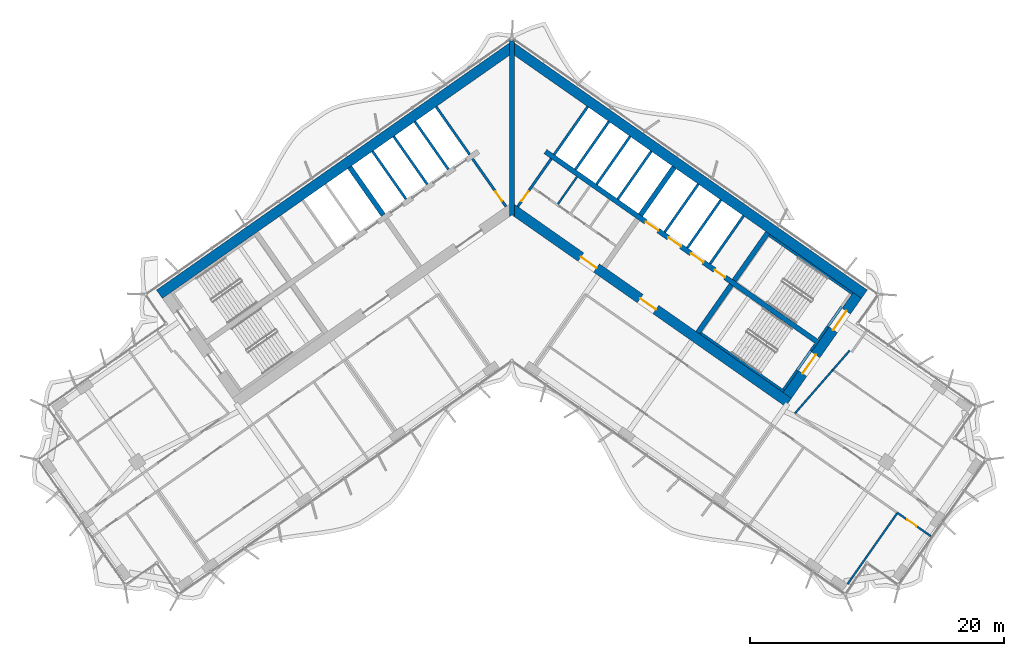
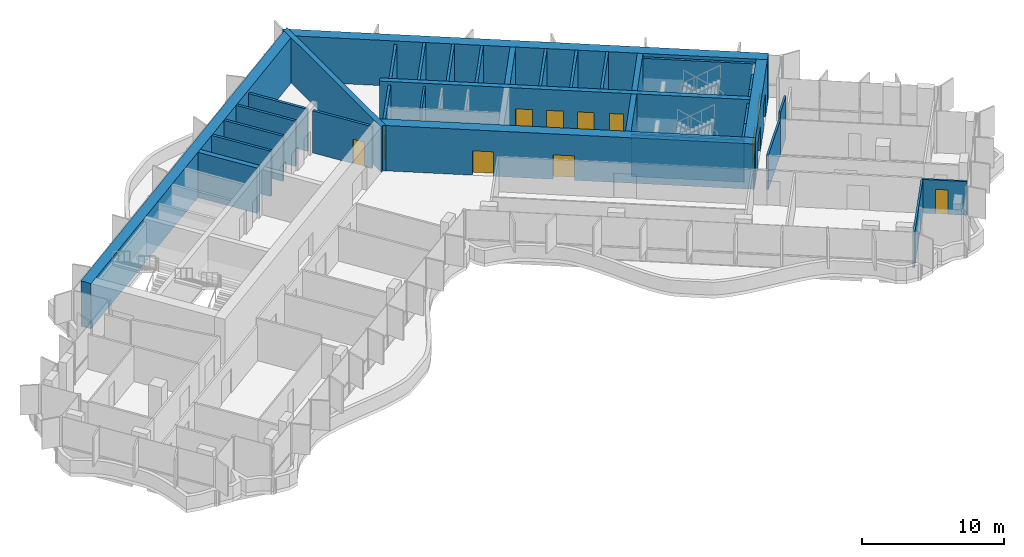
# One storey, part 16 of 23: 35 walls, 11 doors, 11 openings.
"""IFC4 building model written with IfcOpenShell, lengths in metres."""

import ifcopenshell
import ifcopenshell.guid

model = None  # the IFC model being written
_history = None  # IfcOwnerHistory: only IFC2X3 demands one
_inside = {}  # id of a spatial element -> (the spatial element, [elements in it])
_under = {}  # id of a project, library or spatial element -> (it, [spatial elements below it])
_declared = {}  # id of a project -> (the project, [libraries it declares])
_typed = {}  # id of a type object -> (the type object, [elements of that type])
_made_of = {}  # id of a material, layer set ... -> (it, [elements and type objects made of it])


def new_model(schema):
    """Start an empty IFC model of exactly this schema.

    Asked for "IFC4X3", IfcOpenShell would pick the latest addendum, in which some entities
    have other attributes; the version numbers below select the first issue.
    IFC2X3 requires an IfcOwnerHistory on every rooted entity: one is made here for all.
    """
    global model, _history
    if schema == "IFC4X3":
        model = ifcopenshell.file(schema_version=(4, 3, 0, 0))
    else:
        model = ifcopenshell.file(schema=schema)
    _inside.clear()
    _under.clear()
    _declared.clear()
    _typed.clear()
    _made_of.clear()
    _history = None
    if model.schema == "IFC2X3":
        org = make("IfcOrganization", Name="unknown")
        user = make(
            "IfcPersonAndOrganization",
            ThePerson=make("IfcPerson", FamilyName="unknown"),
            TheOrganization=org,
        )
        app = make(
            "IfcApplication",
            ApplicationDeveloper=org,
            Version="unknown",
            ApplicationFullName="unknown",
            ApplicationIdentifier="unknown",
        )
        _history = make(
            "IfcOwnerHistory",
            OwningUser=user,
            OwningApplication=app,
            ChangeAction="ADDED",
            CreationDate=0,
        )
    return model


def make(cls, **values):
    """One entity of the class cls with the attributes given. An attribute that is None is left unset."""
    return model.create_entity(
        cls, **{name: value for name, value in values.items() if value is not None}
    )


def rooted(cls, **values):
    """An entity with a GlobalId (a new one), such as an element, a storey or a relation."""
    return make(cls, GlobalId=ifcopenshell.guid.new(), OwnerHistory=_history, **values)


def si_unit(unit_type, name, prefix=None):
    """IfcSIUnit, for example si_unit("LENGTHUNIT", "METRE", prefix="MILLI")."""
    return make("IfcSIUnit", UnitType=unit_type, Prefix=prefix, Name=name)


def assignment(units):
    """IfcUnitAssignment: the units of a project."""
    return None if units is None else make("IfcUnitAssignment", Units=units)


def point(xyz):
    """IfcCartesianPoint."""
    return None if xyz is None else make("IfcCartesianPoint", Coordinates=xyz)


def direction(xyz):
    """IfcDirection."""
    return None if xyz is None else make("IfcDirection", DirectionRatios=xyz)


def frame(location, z_axis=None, x_axis=None):
    """IfcAxis2Placement3D, a coordinate frame: its origin and axes. An axis left out is left unset."""
    return make(
        "IfcAxis2Placement3D",
        Location=point(location),
        Axis=direction(z_axis),
        RefDirection=direction(x_axis),
    )


def frame_2d(location, x_axis=None):
    """IfcAxis2Placement2D, a coordinate frame in the plane: its origin and x axis."""
    return make(
        "IfcAxis2Placement2D", Location=point(location), RefDirection=direction(x_axis)
    )


def origin():
    """The frame at (0, 0, 0) with its axes left unset."""
    return frame((0.0, 0.0, 0.0))


def place(relative_to, where):
    """IfcLocalPlacement: puts the frame where relative to a parent placement (None: the world)."""
    return make(
        "IfcLocalPlacement", PlacementRelTo=relative_to, RelativePlacement=where
    )


def context(
    kind, dimensions, precision=None, world=None, true_north=None, identifier=None
):
    """IfcGeometricRepresentationContext, for example the 3D "Model" context."""
    return make(
        "IfcGeometricRepresentationContext",
        ContextIdentifier=identifier,
        ContextType=kind,
        CoordinateSpaceDimension=dimensions,
        Precision=precision,
        WorldCoordinateSystem=world,
        TrueNorth=true_north,
    )


def subcontext(parent, identifier, kind, view, scale=None):
    """IfcGeometricRepresentationSubContext, for example "Body" below "Model"."""
    return make(
        "IfcGeometricRepresentationSubContext",
        ContextIdentifier=identifier,
        ContextType=kind,
        ParentContext=parent,
        TargetScale=scale,
        TargetView=view,
    )


def project(units=None, contexts=None):
    """IfcProject with its units and contexts."""
    return rooted(
        "IfcProject",
        Name="project",
        RepresentationContexts=contexts,
        UnitsInContext=assignment(units),
    )


def spatial(cls, under=None, at=None, **own):
    """A site, building, storey or space (cls), placed at a placement, below another one or the project."""
    s = rooted(cls, ObjectPlacement=at, **own)
    if under is not None:
        _under.setdefault(under.id(), (under, []))[1].append(s)
    return s


def polyline(points):
    """IfcPolyline through the points."""
    return make("IfcPolyline", Points=[point(p) for p in points])


def profile(cls, at=None, kind="AREA", **sizes):
    """A parametric profile (cls). Its sizes go by their IFC names, for example OverallWidth=200.0."""
    return make(cls, ProfileType=kind, Position=at, **sizes)


def rectangle(**sizes):
    """IfcRectangleProfileDef."""
    return profile("IfcRectangleProfileDef", **sizes)


def outline(outer, holes=None, kind="AREA"):
    """IfcArbitraryClosedProfileDef: a profile drawn as a closed curve; with holes, ...WithVoids."""
    if holes is None:
        return make("IfcArbitraryClosedProfileDef", ProfileType=kind, OuterCurve=outer)
    return make(
        "IfcArbitraryProfileDefWithVoids",
        ProfileType=kind,
        OuterCurve=outer,
        InnerCurves=holes,
    )


def extrude(swept, where, along, depth):
    """IfcExtrudedAreaSolid: the profile swept, set in the frame where, extruded along a direction by depth."""
    return make(
        "IfcExtrudedAreaSolid",
        SweptArea=swept,
        Position=where,
        ExtrudedDirection=direction(along),
        Depth=depth,
    )


def shape(context_of_items, identifier, shape_type, items):
    """IfcShapeRepresentation: the items that make up one representation, for example the "Body"."""
    return make(
        "IfcShapeRepresentation",
        ContextOfItems=context_of_items,
        RepresentationIdentifier=identifier,
        RepresentationType=shape_type,
        Items=items,
    )


def material(Name=None, Category=None):
    """IfcMaterial."""
    return make("IfcMaterial", Name=Name, Category=Category)


def layer(
    of_material, thickness, ventilated=None, Name=None, Category=None, Priority=None
):
    """IfcMaterialLayer: one layer of a wall or slab, of a material (None: an air gap)."""
    return make(
        "IfcMaterialLayer",
        Material=of_material,
        LayerThickness=thickness,
        IsVentilated=ventilated,
        Name=Name,
        Category=Category,
        Priority=Priority,
    )


def layer_set(layers, Name=None):
    """IfcMaterialLayerSet."""
    return make("IfcMaterialLayerSet", MaterialLayers=layers, LayerSetName=Name)


def made_of(thing, what):
    """Note that an element or type object is made of a material, layer set ...; save() writes the relation."""
    if what is not None:
        _made_of.setdefault(what.id(), (what, []))[1].append(thing)
    return thing


def type_object(cls, material=None, **own):
    """A type object (cls), such as IfcWallType, which elements share."""
    return made_of(rooted(cls, **own), material)


def element(
    cls,
    number,
    at=None,
    inside=None,
    cuts=None,
    type_object=None,
    material=None,
    context=None,
    identifier="Body",
    shape_type=None,
    held_by="IfcProductDefinitionShape",
    body=None,
    shapes=None,
    **own,
):
    """One element of the class cls, such as IfcWall. Its Tag is "e" and its number.

    at: its placement. inside: the storey or other place that contains it. cuts: it is an
    opening in that element (IfcRelVoidsElement). A single representation is given by context,
    identifier, shape_type and body (its items); several are given by shapes. held_by: the class
    of the entity that holds the representations. save() writes the other relations.
    """
    e = rooted(cls, Tag="e%d" % number, ObjectPlacement=at, **own)
    if body is not None:
        shapes = [shape(context, identifier, shape_type, body)]
    if shapes is not None:
        e.Representation = make(held_by, Representations=shapes)
    if inside is not None:
        _inside.setdefault(inside.id(), (inside, []))[1].append(e)
    if cuts is not None:
        rooted(
            "IfcRelVoidsElement", RelatingBuildingElement=cuts, RelatedOpeningElement=e
        )
    if type_object is not None:
        _typed.setdefault(type_object.id(), (type_object, []))[1].append(e)
    return made_of(e, material)


def fill(opening, filler):
    """IfcRelFillsElement: the door or window that sits in an opening."""
    return rooted(
        "IfcRelFillsElement",
        RelatingOpeningElement=opening,
        RelatedBuildingElement=filler,
    )


def aggregate(whole, parts):
    """IfcRelAggregates: a whole, such as a stair, and the parts it consists of."""
    return rooted("IfcRelAggregates", RelatingObject=whole, RelatedObjects=parts)


def save(model, path):
    """Write the relations noted so far, then the file.

    IfcRelAggregates (storeys below a building ...), IfcRelContainedInSpatialStructure (elements
    in a storey), IfcRelDefinesByType, IfcRelAssociatesMaterial and IfcRelDeclares: one each for
    every whole, place, type object, material and project.
    """
    for whole, parts in _under.values():
        aggregate(whole, parts)
    for where, things in _inside.values():
        rooted(
            "IfcRelContainedInSpatialStructure",
            RelatedElements=things,
            RelatingStructure=where,
        )
    for kind, things in _typed.values():
        rooted("IfcRelDefinesByType", RelatedObjects=things, RelatingType=kind)
    for what, things in _made_of.values():
        rooted("IfcRelAssociatesMaterial", RelatedObjects=things, RelatingMaterial=what)
    for by, libraries in _declared.values():
        rooted("IfcRelDeclares", RelatingContext=by, RelatedDefinitions=libraries)
    model.write(path)


model = new_model("IFC4")

# Units and contexts
model_context = context("Model", 3, precision=1e-05, world=origin(), true_north=direction((0.0, 1.0)))
body_context = subcontext(model_context, "Body", "Model", "MODEL_VIEW")
ifc_project = project(units=[si_unit("LENGTHUNIT", "METRE"), si_unit("AREAUNIT", "SQUARE_METRE"), si_unit("VOLUMEUNIT", "CUBIC_METRE"), si_unit("PLANEANGLEUNIT", "RADIAN"), si_unit("MASSUNIT", "GRAM", prefix="KILO")], contexts=[model_context])

# Site, building, storey
site_placement = place(None, origin())
site = spatial("IfcSite", under=ifc_project, at=site_placement, CompositionType="ELEMENT")
building_placement = place(site_placement, origin())
building = spatial("IfcBuilding", under=site, at=building_placement, Name="Tel Ilan Convention Tower", CompositionType="ELEMENT")
storey_placement = place(building_placement, frame((0.0, 0.0, 182.699951171875)))
storey = spatial("IfcBuildingStorey", under=building, at=storey_placement, Name="L42", CompositionType="ELEMENT", Elevation=182.699951171875)

# Wall
ifc_material_1 = material(Name="Gypsum Plasterboard on Steel Stud", Category="steel")
ifc_layer_1 = layer(ifc_material_1, 0.14990234375)
ifc_layer_set_1 = layer_set([ifc_layer_1], Name="Core Room Partition Wall 150 mm EI 60")
wall_type_1 = type_object("IfcWallType", Name="Core Room Partition Wall 150 mm EI 60", PredefinedType="PARTITIONING", material=ifc_layer_set_1)
wall_1_placement = place(storey_placement, frame((3.618896484375, -0.3671875, 0.0), z_axis=(0.0, 0.0, 1.0), x_axis=(0.573549726504, 0.819170746076, 0.0)))
element("IfcWall", 1, at=wall_1_placement, inside=storey, type_object=wall_type_1, Name="L42 core wall wc-v0", PredefinedType="PARTITIONING", context=body_context, shape_type="SweptSolid", body=[
    extrude(rectangle(XDim=2.625, YDim=0.14990234375, at=frame_2d((1.3125, 0.0))), origin(), (0.0, 0.0, 1.0), 3.6201171875),
])

# Wall, opening, door
ifc_material_2 = material(Name="Concrete C30/37", Category="concrete")
ifc_layer_2 = layer(ifc_material_2, 0.199951171875)
ifc_layer_set_2 = layer_set([ifc_layer_2], Name="Core Service Room Wall 200 mm C30/37")
wall_type_2 = type_object("IfcWallType", Name="Core Service Room Wall 200 mm C30/37", PredefinedType="SOLIDWALL", material=ifc_layer_set_2)
wall_2_placement = place(storey_placement, frame((-0.458740234375, -0.565185546875, 0.0), z_axis=(0.0, 0.0, 1.0), x_axis=(-0.573576324356, 0.819152122709, 0.0)))
wall_2 = element("IfcWall", 2, at=wall_2_placement, inside=storey, type_object=wall_type_2, Name="L42 core wall apex-W", PredefinedType="SOLIDWALL", context=body_context, shape_type="SweptSolid", body=[
    extrude(rectangle(XDim=4.599853515625, YDim=0.199951171875, at=frame_2d((2.2998046875, 0.0))), origin(), (0.0, 0.0, 1.0), 3.6201171875),
])
opening_1_placement = place(wall_2_placement, frame((0.550048828125, 0.0, 0.0)))
opening_1 = element("IfcOpeningElement", 3, at=opening_1_placement, cuts=wall_2, Name="Opening CD3202", PredefinedType="OPENING", context=body_context, shape_type="SweptSolid", body=[
    extrude(rectangle(XDim=0.89990234375, YDim=2.10009765625, at=frame_2d((0.449951171875, 1.050048828125))), frame((0.0, 0.10986328125, 0.0), z_axis=(0.0, -1.0, 0.0), x_axis=(1.0, 0.0, 0.0)), (0.0, 0.0, 1.0), 0.219970703125),
])
ifc_material_3 = material(Name="Galvanised Steel Door Leaf", Category="steel")
door_type_1 = type_object("IfcDoorType", Name="Service Room Door 900 x 2100 FD60", OperationType="NOTDEFINED", PredefinedType="DOOR", material=ifc_material_3)
door_1_placement = place(opening_1_placement, origin())
door_1 = element("IfcDoor", 4, at=door_1_placement, inside=storey, type_object=door_type_1, Name="Riser Room door", OperationType="SINGLE_SWING_RIGHT", OverallHeight=2.10009765625, OverallWidth=0.89990234375, PredefinedType="DOOR", context=body_context, shape_type="SweptSolid", body=[
    extrude(rectangle(XDim=0.89990234375, YDim=2.10009765625, at=frame_2d((0.449951171875, 1.050048828125))), frame((0.0, 0.02490234375, 0.0), z_axis=(0.0, -1.0, 0.0), x_axis=(1.0, 0.0, 0.0)), (0.0, 0.0, 1.0), 0.050048828125),
])
fill(opening_1, door_1)

# Wall
wall_3_placement = place(storey_placement, frame((-3.32666015625, 3.530517578125, 0.0), z_axis=(0.0, 0.0, 1.0), x_axis=(-0.573576324356, 0.819152122709, 0.0)))
element("IfcWall", 5, at=wall_3_placement, inside=storey, type_object=wall_type_2, Name="L42 core wall apex-W-b", PredefinedType="SOLIDWALL", context=body_context, shape_type="SweptSolid", body=[
    extrude(rectangle(XDim=4.599853515625, YDim=0.199951171875, at=frame_2d((2.2998046875, 0.0))), origin(), (0.0, 0.0, 1.0), 3.6201171875),
])

# Wall, opening, door
wall_4_placement = place(storey_placement, frame((0.458740234375, -0.565185546875, 0.0), z_axis=(0.0, 0.0, 1.0), x_axis=(0.573576324356, 0.819152122709, 0.0)))
wall_4 = element("IfcWall", 6, at=wall_4_placement, inside=storey, type_object=wall_type_2, Name="L42 core wall apex-E", PredefinedType="SOLIDWALL", context=body_context, shape_type="SweptSolid", body=[
    extrude(rectangle(XDim=4.599853515625, YDim=0.199951171875, at=frame_2d((2.2998046875, 0.0))), origin(), (0.0, 0.0, 1.0), 3.6201171875),
])
opening_2_placement = place(wall_4_placement, frame((0.550048828125, 0.0, 0.0)))
opening_2 = element("IfcOpeningElement", 7, at=opening_2_placement, cuts=wall_4, Name="Opening CD3201", PredefinedType="OPENING", context=body_context, shape_type="SweptSolid", body=[
    extrude(rectangle(XDim=0.89990234375, YDim=2.10009765625, at=frame_2d((0.449951171875, 1.050048828125))), frame((0.0, 0.10986328125, 0.0), z_axis=(0.0, -1.0, 0.0), x_axis=(1.0, 0.0, 0.0)), (0.0, 0.0, 1.0), 0.219970703125),
])
door_2_placement = place(opening_2_placement, origin())
door_2 = element("IfcDoor", 8, at=door_2_placement, inside=storey, type_object=door_type_1, Name="Electrical Room door", OperationType="SINGLE_SWING_RIGHT", OverallHeight=2.10009765625, OverallWidth=0.89990234375, PredefinedType="DOOR", context=body_context, shape_type="SweptSolid", body=[
    extrude(rectangle(XDim=0.89990234375, YDim=2.10009765625, at=frame_2d((0.449951171875, 1.050048828125))), frame((0.0, 0.02490234375, 0.0), z_axis=(0.0, -1.0, 0.0), x_axis=(1.0, 0.0, 0.0)), (0.0, 0.0, 1.0), 0.050048828125),
])
fill(opening_2, door_2)

# Walls
wall_5_placement = place(storey_placement, frame((3.32666015625, 3.530517578125, 0.0), z_axis=(0.0, 0.0, 1.0), x_axis=(0.573576324356, 0.819152122709, 0.0)))
element("IfcWall", 9, at=wall_5_placement, inside=storey, type_object=wall_type_2, Name="L42 core wall apex-E-b", PredefinedType="SOLIDWALL", context=body_context, shape_type="SweptSolid", body=[
    extrude(rectangle(XDim=4.599853515625, YDim=0.199951171875, at=frame_2d((2.2998046875, 0.0))), origin(), (0.0, 0.0, 1.0), 3.6201171875),
])
ifc_material_4 = material(Name="Concrete C50/60", Category="concrete")
ifc_layer_3 = layer(ifc_material_4, 0.39990234375)
ifc_layer_set_3 = layer_set([ifc_layer_3], Name="Core Shear Wall 400 mm C50/60")
wall_type_3 = type_object("IfcWallType", Name="Core Shear Wall 400 mm C50/60", PredefinedType="SHEAR", material=ifc_layer_set_3)
wall_6_placement = place(storey_placement, frame((-10.12548828125, -1.230224609375, 0.0), z_axis=(0.0, 0.0, 1.0), x_axis=(-0.573576324356, 0.819152122709, 0.0)))
element("IfcWall", 10, at=wall_6_placement, inside=storey, type_object=wall_type_3, Name="L42 core wall W-cross1-2", PredefinedType="SHEAR", context=body_context, shape_type="SweptSolid", body=[
    extrude(outline(polyline([(4.60009765625, -0.199951171875), (4.599853515625, 0.199951171875), (0.0, 0.2001953125), (0.0, -0.199951171875), (4.60009765625, -0.199951171875)])), origin(), (0.0, 0.0, 1.0), 3.900146484375),
])
wall_7_placement = place(storey_placement, frame((10.12548828125, -1.230224609375, 0.0), z_axis=(0.0, 0.0, 1.0), x_axis=(0.573576324356, 0.819152122709, 0.0)))
element("IfcWall", 11, at=wall_7_placement, inside=storey, type_object=wall_type_3, Name="L42 core wall E-cross1-2", PredefinedType="SHEAR", context=body_context, shape_type="SweptSolid", body=[
    extrude(outline(polyline([(4.599853515625, -0.199951171875), (4.60009765625, 0.199951171875), (0.0, 0.199951171875), (0.0, -0.2001953125), (4.599853515625, -0.199951171875)])), origin(), (0.0, 0.0, 1.0), 3.900146484375),
])
wall_8_placement = place(storey_placement, frame((14.6298828125, -10.48828125, 0.0), z_axis=(0.0, 0.0, 1.0), x_axis=(0.573611936273, 0.819127185829, 0.0)))
element("IfcWall", 12, at=wall_8_placement, inside=storey, type_object=wall_type_3, Name="L42 core wall E-cross2-1", PredefinedType="SHEAR", context=body_context, shape_type="SweptSolid", body=[
    extrude(outline(polyline([(0.000244140625, 0.199951171875), (0.000244140625, -0.2001953125), (4.60009765625, -0.199951171875), (4.60009765625, 0.2001953125), (0.000244140625, 0.199951171875)])), origin(), (0.0, 0.0, 1.0), 3.900146484375),
])
wall_9_placement = place(storey_placement, frame((17.497802734375, -6.392333984375, 0.0), z_axis=(0.0, 0.0, 1.0), x_axis=(0.573611936273, 0.819127185829, 0.0)))
element("IfcWall", 13, at=wall_9_placement, inside=storey, type_object=wall_type_3, Name="L42 core wall E-cross2-2", PredefinedType="SHEAR", context=body_context, shape_type="SweptSolid", body=[
    extrude(outline(polyline([(4.599853515625, -0.199951171875), (4.599853515625, 0.2001953125), (0.0, 0.199951171875), (0.0, -0.2001953125), (4.599853515625, -0.199951171875)])), origin(), (0.0, 0.0, 1.0), 3.900146484375),
])

# Wall, openings, doors
wall_10_placement = place(storey_placement, frame((2.638427734375, 3.76806640625, 0.0), z_axis=(0.0, 0.0, 1.0), x_axis=(0.81915267502, -0.573575535572, 0.0)))
wall_10 = element("IfcWall", 14, at=wall_10_placement, inside=storey, type_object=wall_type_3, Name="L42 core wall E-spine", PredefinedType="SHEAR", context=body_context, shape_type="SweptSolid", body=[
    extrude(outline(polyline([(0.0, 0.199951171875), (0.0, -0.199951171875), (26.199951171875, -0.199951171875), (26.199951171875, 0.199951171875), (0.0, 0.199951171875)])), origin(), (0.0, 0.0, 1.0), 3.900146484375),
])
opening_3_placement = place(wall_10_placement, frame((9.637451171875, 0.0, 0.0)))
opening_3 = element("IfcOpeningElement", 15, at=opening_3_placement, cuts=wall_10, Name="Opening LD3201", PredefinedType="OPENING", context=body_context, shape_type="SweptSolid", body=[
    extrude(rectangle(XDim=1.199951171875, YDim=2.10009765625, at=frame_2d((0.60009765625, 1.050048828125))), frame((0.0, 0.2099609375, 0.0), z_axis=(0.0, -1.0, 0.0), x_axis=(1.0, 0.0, 0.0)), (0.0, 0.0, 1.0), 0.419921875),
])
opening_4_placement = place(wall_10_placement, frame((11.8125, 0.0, 0.0)))
opening_4 = element("IfcOpeningElement", 16, at=opening_4_placement, cuts=wall_10, Name="Opening LD3202", PredefinedType="OPENING", context=body_context, shape_type="SweptSolid", body=[
    extrude(rectangle(XDim=1.199951171875, YDim=2.10009765625, at=frame_2d((0.60009765625, 1.050048828125))), frame((0.0, 0.2099609375, 0.0), z_axis=(0.0, -1.0, 0.0), x_axis=(1.0, 0.0, 0.0)), (0.0, 0.0, 1.0), 0.419921875),
])
opening_5_placement = place(wall_10_placement, frame((13.987548828125, 0.0, 0.0)))
opening_5 = element("IfcOpeningElement", 17, at=opening_5_placement, cuts=wall_10, Name="Opening LD3203", PredefinedType="OPENING", context=body_context, shape_type="SweptSolid", body=[
    extrude(rectangle(XDim=1.199951171875, YDim=2.10009765625, at=frame_2d((0.60009765625, 1.050048828125))), frame((0.0, 0.2099609375, 0.0), z_axis=(0.0, -1.0, 0.0), x_axis=(1.0, 0.0, 0.0)), (0.0, 0.0, 1.0), 0.419921875),
])
opening_6_placement = place(wall_10_placement, frame((16.262451171875, 0.0, 0.0)))
opening_6 = element("IfcOpeningElement", 18, at=opening_6_placement, cuts=wall_10, Name="Opening CD3207", PredefinedType="OPENING", context=body_context, shape_type="SweptSolid", body=[
    extrude(rectangle(XDim=1.0, YDim=2.10009765625, at=frame_2d((0.5, 1.050048828125))), frame((0.0, 0.2099609375, 0.0), z_axis=(0.0, -1.0, 0.0), x_axis=(1.0, 0.0, 0.0)), (0.0, 0.0, 1.0), 0.419921875),
])
ifc_material_5 = material(Name="Stainless Steel Sliding Door Leaf", Category="steel")
door_type_2 = type_object("IfcDoorType", Name="Lift Landing Door 1200 x 2100 FD120", OperationType="NOTDEFINED", PredefinedType="DOOR", material=ifc_material_5)
door_3_placement = place(opening_3_placement, origin())
door_3 = element("IfcDoor", 19, at=door_3_placement, inside=storey, type_object=door_type_2, Name="Lift FL1 landing door", OperationType="SLIDING_TO_LEFT", OverallHeight=2.10009765625, OverallWidth=1.199951171875, PredefinedType="DOOR", context=body_context, shape_type="SweptSolid", body=[
    extrude(rectangle(XDim=1.199951171875, YDim=2.10009765625, at=frame_2d((0.60009765625, 1.050048828125))), frame((0.0, 0.02490234375, 0.0), z_axis=(0.0, -1.0, 0.0), x_axis=(1.0, 0.0, 0.0)), (0.0, 0.0, 1.0), 0.050048828125),
])
fill(opening_3, door_3)
door_4_placement = place(opening_4_placement, origin())
door_4 = element("IfcDoor", 20, at=door_4_placement, inside=storey, type_object=door_type_2, Name="Lift FL2 landing door", OperationType="SLIDING_TO_RIGHT", OverallHeight=2.10009765625, OverallWidth=1.199951171875, PredefinedType="DOOR", context=body_context, shape_type="SweptSolid", body=[
    extrude(rectangle(XDim=1.199951171875, YDim=2.10009765625, at=frame_2d((0.60009765625, 1.050048828125))), frame((0.0, 0.02490234375, 0.0), z_axis=(0.0, -1.0, 0.0), x_axis=(1.0, 0.0, 0.0)), (0.0, 0.0, 1.0), 0.050048828125),
])
fill(opening_4, door_4)
door_5_placement = place(opening_5_placement, origin())
door_5 = element("IfcDoor", 21, at=door_5_placement, inside=storey, type_object=door_type_2, Name="Lift FL3 landing door", OperationType="SLIDING_TO_LEFT", OverallHeight=2.10009765625, OverallWidth=1.199951171875, PredefinedType="DOOR", context=body_context, shape_type="SweptSolid", body=[
    extrude(rectangle(XDim=1.199951171875, YDim=2.10009765625, at=frame_2d((0.60009765625, 1.050048828125))), frame((0.0, 0.02490234375, 0.0), z_axis=(0.0, -1.0, 0.0), x_axis=(1.0, 0.0, 0.0)), (0.0, 0.0, 1.0), 0.050048828125),
])
fill(opening_5, door_5)
ifc_material_6 = material(Name="Galvanised Steel Door Leaf", Category="steel")
door_type_3 = type_object("IfcDoorType", Name="Service Room Door 1000 x 2100 FD60", OperationType="NOTDEFINED", PredefinedType="DOOR", material=ifc_material_6)
door_6_placement = place(opening_6_placement, origin())
door_6 = element("IfcDoor", 22, at=door_6_placement, inside=storey, type_object=door_type_3, Name="Plant Room door", OperationType="SINGLE_SWING_RIGHT", OverallHeight=2.10009765625, OverallWidth=1.0, PredefinedType="DOOR", context=body_context, shape_type="SweptSolid", body=[
    extrude(rectangle(XDim=1.0, YDim=2.10009765625, at=frame_2d((0.5, 1.050048828125))), frame((0.0, 0.02490234375, 0.0), z_axis=(0.0, -1.0, 0.0), x_axis=(1.0, 0.0, 0.0)), (0.0, 0.0, 1.0), 0.050048828125),
])
fill(opening_6, door_6)

# Walls
wall_11_placement = place(storey_placement, frame((0.0, -1.36083984375, 0.0), z_axis=(0.0, 0.0, 1.0), x_axis=(0.0, 1.0, 0.0)))
element("IfcWall", 23, at=wall_11_placement, inside=storey, type_object=wall_type_3, Name="L42 core wall K-central", PredefinedType="SHEAR", context=body_context, shape_type="SweptSolid", body=[
    extrude(outline(polyline([(0.0, -0.199951171875), (0.14013671875, -0.199951171875), (1.0751953125, -0.199951171875), (12.696044921875, -0.199951171875), (13.812744140625, -0.199951171875), (13.893310546875, -0.199951171875), (13.933349609375, -0.172119140625), (13.812744140625, 0.0), (13.933349609375, 0.172119140625), (13.893310546875, 0.199951171875), (13.812744140625, 0.199951171875), (12.696044921875, 0.199951171875), (1.0751953125, 0.199951171875), (0.14013671875, 0.199951171875), (0.0, 0.199951171875), (0.14013671875, 0.0), (0.0, -0.199951171875)])), origin(), (0.0, 0.0, 1.0), 3.900146484375),
])
ifc_material_7 = material(Name="Concrete C50/60", Category="concrete")
ifc_layer_4 = layer(ifc_material_7, 0.800048828125)
ifc_layer_set_4 = layer_set([ifc_layer_4], Name="Core Shear Wall 800 mm C50/60")
wall_type_4 = type_object("IfcWallType", Name="Core Shear Wall 800 mm C50/60", PredefinedType="SHEAR", material=ifc_layer_set_4)
wall_12_placement = place(storey_placement, frame((0.029296875, 11.984130859375, 0.0), z_axis=(0.0, 0.0, 1.0), x_axis=(-0.819151382952, -0.573577380837, 0.0)))
element("IfcWall", 24, at=wall_12_placement, inside=storey, type_object=wall_type_4, Name="L42 core wall W-back", PredefinedType="SHEAR", context=body_context, shape_type="SweptSolid", body=[
    extrude(outline(polyline([(33.897705078125, 0.39990234375), (0.56005859375, 0.400146484375), (-0.000244140625, -0.39990234375), (33.897705078125, -0.400146484375), (33.897705078125, 0.39990234375)])), origin(), (0.0, 0.0, 1.0), 3.900146484375),
])
wall_13_placement = place(storey_placement, frame((-0.029296875, 11.984130859375, 0.0), z_axis=(0.0, 0.0, 1.0), x_axis=(0.819151382952, -0.573577380837, 0.0)))
element("IfcWall", 25, at=wall_13_placement, inside=storey, type_object=wall_type_4, Name="L42 core wall E-back", PredefinedType="SHEAR", context=body_context, shape_type="SweptSolid", body=[
    extrude(outline(polyline([(33.897705078125, 0.400146484375), (-0.000244140625, 0.39990234375), (0.56005859375, -0.400146484375), (33.897705078125, -0.39990234375), (33.897705078125, 0.400146484375)])), origin(), (0.0, 0.0, 1.0), 3.900146484375),
])

# Wall, openings, doors
wall_14_placement = place(storey_placement, frame((-0.029296875, -0.7119140625, 0.0), z_axis=(0.0, 0.0, 1.0), x_axis=(0.819151758019, -0.573576845187, 0.0)))
wall_14 = element("IfcWall", 26, at=wall_14_placement, inside=storey, type_object=wall_type_4, Name="L42 core wall E-front", PredefinedType="SHEAR", context=body_context, shape_type="SweptSolid", body=[
    extrude(outline(polyline([(26.61572265625, 0.39990234375), (-0.000244140625, 0.39990234375), (0.56005859375, -0.39990234375), (26.61572265625, -0.39990234375), (26.61572265625, 0.39990234375)])), origin(), (0.0, 0.0, 1.0), 3.900146484375),
])
opening_7_placement = place(wall_14_placement, frame((6.665771484375, 0.0, 0.0)))
opening_7 = element("IfcOpeningElement", 27, at=opening_7_placement, cuts=wall_14, Name="Opening CD3203", PredefinedType="OPENING", context=body_context, shape_type="SweptSolid", body=[
    extrude(rectangle(XDim=1.5, YDim=2.10009765625, at=frame_2d((0.75, 1.050048828125))), frame((0.0, 0.409912109375, 0.0), z_axis=(0.0, -1.0, 0.0), x_axis=(1.0, 0.0, 0.0)), (0.0, 0.0, 1.0), 0.820068359375),
])
opening_8_placement = place(wall_14_placement, frame((12.36572265625, 0.0, 0.0)))
opening_8 = element("IfcOpeningElement", 28, at=opening_8_placement, cuts=wall_14, Name="Opening CD3204", PredefinedType="OPENING", context=body_context, shape_type="SweptSolid", body=[
    extrude(rectangle(XDim=1.5, YDim=2.10009765625, at=frame_2d((0.75, 1.050048828125))), frame((0.0, 0.409912109375, 0.0), z_axis=(0.0, -1.0, 0.0), x_axis=(1.0, 0.0, 0.0)), (0.0, 0.0, 1.0), 0.820068359375),
])
ifc_material_8 = material(Name="Glazed Aluminium Door Leaf", Category="aluminium")
door_type_4 = type_object("IfcDoorType", Name="Lobby Opening Door 1500 x 2100 FD60S", OperationType="NOTDEFINED", PredefinedType="DOOR", material=ifc_material_8)
door_7_placement = place(opening_8_placement, origin())
door_7 = element("IfcDoor", 29, at=door_7_placement, inside=storey, type_object=door_type_4, Name="Firefighting Lobby door", OperationType="DOUBLE_DOOR_SINGLE_SWING", OverallHeight=2.10009765625, OverallWidth=1.5, PredefinedType="DOOR", context=body_context, shape_type="SweptSolid", body=[
    extrude(rectangle(XDim=1.5, YDim=2.10009765625, at=frame_2d((0.75, 1.050048828125))), frame((0.0, 0.02490234375, 0.0), z_axis=(0.0, -1.0, 0.0), x_axis=(1.0, 0.0, 0.0)), (0.0, 0.0, 1.0), 0.050048828125),
])
fill(opening_8, door_7)
ifc_material_9 = material(Name="Laminated Timber Door Leaf", Category="wood")
door_type_5 = type_object("IfcDoorType", Name="Toilet Door 1500 x 2100 FD30S", OperationType="NOTDEFINED", PredefinedType="DOOR", material=ifc_material_9)
door_8_placement = place(opening_7_placement, origin())
door_8 = element("IfcDoor", 30, at=door_8_placement, inside=storey, type_object=door_type_5, Name="WC Lobby door", OperationType="SINGLE_SWING_RIGHT", OverallHeight=2.10009765625, OverallWidth=1.5, PredefinedType="DOOR", context=body_context, shape_type="SweptSolid", body=[
    extrude(rectangle(XDim=1.5, YDim=2.10009765625, at=frame_2d((0.75, 1.050048828125))), frame((0.0, 0.02490234375, 0.0), z_axis=(0.0, -1.0, 0.0), x_axis=(1.0, 0.0, 0.0)), (0.0, 0.0, 1.0), 0.050048828125),
])
fill(opening_7, door_8)

wall_15_placement = place(storey_placement, frame((21.6748046875, -15.4208984375, 0.0), z_axis=(0.0, 0.0, 1.0), x_axis=(0.573581815061, 0.819148278049, 0.0)))
wall_15 = element("IfcWall", 31, at=wall_15_placement, inside=storey, type_object=wall_type_4, Name="L42 core wall E-end", PredefinedType="SHEAR", context=body_context, shape_type="SweptSolid", body=[
    extrude(outline(polyline([(9.599853515625, 0.400146484375), (0.0, 0.39990234375), (0.0, -0.39990234375), (9.599853515625, -0.39990234375), (9.599853515625, 0.400146484375)])), origin(), (0.0, 0.0, 1.0), 3.900146484375),
])
opening_9_placement = place(wall_15_placement, frame((6.300048828125, 0.0, 0.0)))
opening_9 = element("IfcOpeningElement", 32, at=opening_9_placement, cuts=wall_15, Name="Opening SD3203", PredefinedType="OPENING", context=body_context, shape_type="SweptSolid", body=[
    extrude(rectangle(XDim=1.800048828125, YDim=2.10009765625, at=frame_2d((0.89990234375, 1.050048828125))), frame((0.0, 0.409912109375, 0.0), z_axis=(0.0, -1.0, 0.0), x_axis=(1.0, 0.0, 0.0)), (0.0, 0.0, 1.0), 0.820068359375),
])
opening_10_placement = place(wall_15_placement, frame((2.10009765625, 0.0, 0.0)))
opening_10 = element("IfcOpeningElement", 33, at=opening_10_placement, cuts=wall_15, Name="Opening SD3204", PredefinedType="OPENING", context=body_context, shape_type="SweptSolid", body=[
    extrude(rectangle(XDim=1.800048828125, YDim=2.10009765625, at=frame_2d((0.89990234375, 1.050048828125))), frame((0.0, 0.409912109375, 0.0), z_axis=(0.0, -1.0, 0.0), x_axis=(1.0, 0.0, 0.0)), (0.0, 0.0, 1.0), 0.820068359375),
])
ifc_material_10 = material(Name="Galvanised Steel Door Leaf", Category="steel")
door_type_6 = type_object("IfcDoorType", Name="Stair Fire Door 1800 x 2100 FD60S", OperationType="NOTDEFINED", PredefinedType="DOOR", material=ifc_material_10)
door_9_placement = place(opening_9_placement, origin())
door_9 = element("IfcDoor", 34, at=door_9_placement, inside=storey, type_object=door_type_6, Name="Stair S3 door", OperationType="DOUBLE_DOOR_SINGLE_SWING", OverallHeight=2.10009765625, OverallWidth=1.800048828125, PredefinedType="DOOR", context=body_context, shape_type="SweptSolid", body=[
    extrude(rectangle(XDim=1.800048828125, YDim=2.10009765625, at=frame_2d((0.89990234375, 1.050048828125))), frame((0.0, 0.02490234375, 0.0), z_axis=(0.0, -1.0, 0.0), x_axis=(1.0, 0.0, 0.0)), (0.0, 0.0, 1.0), 0.050048828125),
])
fill(opening_9, door_9)
door_10_placement = place(opening_10_placement, origin())
door_10 = element("IfcDoor", 35, at=door_10_placement, inside=storey, type_object=door_type_6, Name="Stair S4 door", OperationType="DOUBLE_DOOR_SINGLE_SWING", OverallHeight=2.10009765625, OverallWidth=1.800048828125, PredefinedType="DOOR", context=body_context, shape_type="SweptSolid", body=[
    extrude(rectangle(XDim=1.800048828125, YDim=2.10009765625, at=frame_2d((0.89990234375, 1.050048828125))), frame((0.0, 0.02490234375, 0.0), z_axis=(0.0, -1.0, 0.0), x_axis=(1.0, 0.0, 0.0)), (0.0, 0.0, 1.0), 0.050048828125),
])
fill(opening_10, door_10)

# Wall, opening, door
ifc_material_11 = material(Name="Plasterboard on Steel Studs", Category="steel")
ifc_layer_5 = layer(ifc_material_11, 0.14990234375)
ifc_layer_set_5 = layer_set([ifc_layer_5], Name="Fire-rated Partition 150 EI 60")
wall_type_5 = type_object("IfcWallType", Name="Fire-rated Partition 150 EI 60", PredefinedType="PARTITIONING", material=ifc_layer_set_5)
wall_16_placement = place(storey_placement, frame((32.962158203125, -26.49853515625, 0.0), z_axis=(0.0, 0.0, 1.0), x_axis=(-0.819163851829, 0.573559573067, 0.0)))
wall_16 = element("IfcWall", 36, at=wall_16_placement, inside=storey, type_object=wall_type_5, Name="Partition 006", PredefinedType="PARTITIONING", context=body_context, shape_type="SweptSolid", body=[
    extrude(rectangle(XDim=3.201904296875, YDim=0.14990234375, at=frame_2d((1.60107421875, 0.0))), origin(), (0.0, 0.0, 1.0), 2.900146484375),
])
opening_11_placement = place(wall_16_placement, frame((1.35107421875, 0.0, 0.0)))
opening_11 = element("IfcOpeningElement", 37, at=opening_11_placement, cuts=wall_16, Name="Opening L42-017", PredefinedType="OPENING", context=body_context, shape_type="SweptSolid", body=[
    extrude(rectangle(XDim=0.89990234375, YDim=2.10009765625, at=frame_2d((0.449951171875, 1.050048828125))), frame((0.0, 0.0849609375, 0.0), z_axis=(0.0, -1.0, 0.0), x_axis=(1.0, 0.0, 0.0)), (0.0, 0.0, 1.0), 0.169921875),
])
ifc_material_12 = material(Name="Timber Door Leaf in Steel Frame", Category="steel")
door_type_7 = type_object("IfcDoorType", Name="Room Fire Door 900x2100", OperationType="NOTDEFINED", PredefinedType="DOOR", material=ifc_material_12)
door_11_placement = place(opening_11_placement, origin())
door_11 = element("IfcDoor", 38, at=door_11_placement, inside=storey, type_object=door_type_7, Name="Door L42-017", OperationType="SINGLE_SWING_LEFT", OverallHeight=2.10009765625, OverallWidth=0.89990234375, PredefinedType="DOOR", context=body_context, shape_type="SweptSolid", body=[
    extrude(rectangle(XDim=0.89990234375, YDim=2.10009765625, at=frame_2d((0.449951171875, 1.050048828125))), frame((0.0, 0.02490234375, 0.0), z_axis=(0.0, -1.0, 0.0), x_axis=(1.0, 0.0, 0.0)), (0.0, 0.0, 1.0), 0.050048828125),
])
fill(opening_11, door_11)

# Walls
wall_17_placement = place(storey_placement, frame((25.257568359375, -13.41162109375, 0.0), z_axis=(0.0, 0.0, 1.0), x_axis=(0.656791883473, 0.75407189432, 0.0)))
element("IfcWall", 39, at=wall_17_placement, inside=storey, type_object=wall_type_5, Name="Partition 019", PredefinedType="PARTITIONING", context=body_context, shape_type="SweptSolid", body=[
    extrude(rectangle(XDim=2.01025390625, YDim=0.14990234375, at=frame_2d((1.005126953125, 0.0))), origin(), (0.0, 0.0, 1.0), 3.6201171875),
])
wall_18_placement = place(storey_placement, frame((22.284912109375, -16.82470703125, 0.0), z_axis=(0.0, 0.0, 1.0), x_axis=(0.656764910052, 0.754095387152, 0.0)))
element("IfcWall", 40, at=wall_18_placement, inside=storey, type_object=wall_type_5, Name="Partition 022", PredefinedType="PARTITIONING", context=body_context, shape_type="SweptSolid", body=[
    extrude(rectangle(XDim=4.525146484375, YDim=0.14990234375, at=frame_2d((2.2626953125, 0.0))), origin(), (0.0, 0.0, 1.0), 3.0),
])
wall_19_placement = place(storey_placement, frame((30.3408203125, -24.6630859375, 0.0), z_axis=(0.0, 0.0, 1.0), x_axis=(-0.573577493031, -0.819151304393, 0.0)))
element("IfcWall", 41, at=wall_19_placement, inside=storey, type_object=wall_type_5, Name="Partition 029", PredefinedType="PARTITIONING", context=body_context, shape_type="SweptSolid", body=[
    extrude(rectangle(XDim=6.829833984375, YDim=0.14990234375, at=frame_2d((3.4150390625, 0.0))), origin(), (0.0, 0.0, 1.0), 2.900146484375),
])
ifc_material_13 = material(Name="Concrete C30/37", Category="concrete")
ifc_layer_6 = layer(ifc_material_13, 0.199951171875)
ifc_layer_set_6 = layer_set([ifc_layer_6], Name="Lift Shaft Wall 200 mm C30/37")
wall_type_6 = type_object("IfcWallType", Name="Lift Shaft Wall 200 mm C30/37", PredefinedType="SOLIDWALL", material=ifc_layer_set_6)
for number, where, z_axis, x_axis, name in (
    (42, (-4.99560546875, 2.36181640625, 0.0), (0.0, 0.0, 1.0), (-0.573576324356, 0.819152122709, 0.0), "L42 core wall bank-W1-p0"),
    (43, (-6.66455078125, 1.193115234375, 0.0), (0.0, 0.0, 1.0), (-0.573576324356, 0.819152122709, 0.0), "L42 core wall bank-W1-p1"),
):
    element("IfcWall", number, at=place(storey_placement, frame(where, z_axis=z_axis, x_axis=x_axis)), inside=storey, type_object=wall_type_6, Name=name, PredefinedType="SOLIDWALL", context=body_context, shape_type="SweptSolid", body=[
        extrude(rectangle(XDim=4.599853515625, YDim=0.199951171875, at=frame_2d((2.2998046875, 0.0))), origin(), (0.0, 0.0, 1.0), 3.900146484375),
    ])
wall_20_placement = place(storey_placement, frame((-8.33349609375, 0.0244140625, 0.0), z_axis=(0.0, 0.0, 1.0), x_axis=(-0.573611936273, 0.819127185829, 0.0)))
element("IfcWall", 44, at=wall_20_placement, inside=storey, type_object=wall_type_6, Name="L42 core wall bank-W1-p2", PredefinedType="SOLIDWALL", context=body_context, shape_type="SweptSolid", body=[
    extrude(rectangle(XDim=4.60009765625, YDim=0.199951171875, at=frame_2d((2.300048828125, 0.0))), origin(), (0.0, 0.0, 1.0), 3.900146484375),
])
for number, where, z_axis, x_axis, name in (
    (45, (4.99560546875, 2.36181640625, 0.0), (0.0, 0.0, 1.0), (0.573576324356, 0.819152122709, 0.0), "L42 core wall bank-E1-p0"),
    (46, (6.66455078125, 1.193115234375, 0.0), (0.0, 0.0, 1.0), (0.573576324356, 0.819152122709, 0.0), "L42 core wall bank-E1-p1"),
):
    element("IfcWall", number, at=place(storey_placement, frame(where, z_axis=z_axis, x_axis=x_axis)), inside=storey, type_object=wall_type_6, Name=name, PredefinedType="SOLIDWALL", context=body_context, shape_type="SweptSolid", body=[
        extrude(rectangle(XDim=4.599853515625, YDim=0.199951171875, at=frame_2d((2.2998046875, 0.0))), origin(), (0.0, 0.0, 1.0), 3.900146484375),
    ])
wall_21_placement = place(storey_placement, frame((8.33349609375, 0.0244140625, 0.0), z_axis=(0.0, 0.0, 1.0), x_axis=(0.573611936273, 0.819127185829, 0.0)))
element("IfcWall", 47, at=wall_21_placement, inside=storey, type_object=wall_type_6, Name="L42 core wall bank-E1-p2", PredefinedType="SOLIDWALL", context=body_context, shape_type="SweptSolid", body=[
    extrude(rectangle(XDim=4.60009765625, YDim=0.199951171875, at=frame_2d((2.300048828125, 0.0))), origin(), (0.0, 0.0, 1.0), 3.900146484375),
])
for number, where, z_axis, x_axis, name in (
    (48, (12.030029296875, -2.563720703125, 0.0), (0.0, 0.0, 1.0), (0.573576324356, 0.819152122709, 0.0), "L42 core wall bank-E2-p0"),
    (49, (13.811767578125, -3.811279296875, 0.0), (0.0, 0.0, 1.0), (0.573576324356, 0.819152122709, 0.0), "L42 core wall bank-E2-p1"),
    (50, (15.593505859375, -5.058837890625, 0.0), (0.0, 0.0, 1.0), (0.573540709186, 0.819177059558, 0.0), "L42 core wall bank-E2-p2"),
):
    element("IfcWall", number, at=place(storey_placement, frame(where, z_axis=z_axis, x_axis=x_axis)), inside=storey, type_object=wall_type_6, Name=name, PredefinedType="SOLIDWALL", context=body_context, shape_type="SweptSolid", body=[
        extrude(rectangle(XDim=4.599853515625, YDim=0.199951171875, at=frame_2d((2.2998046875, 0.0))), origin(), (0.0, 0.0, 1.0), 3.900146484375),
    ])
ifc_material_14 = material(Name="Concrete C30/37", Category="concrete")
ifc_layer_7 = layer(ifc_material_14, 0.199951171875)
ifc_layer_set_7 = layer_set([ifc_layer_7], Name="Stair and Shaft Lining Wall 200 mm C30/37")
wall_type_7 = type_object("IfcWallType", Name="Stair and Shaft Lining Wall 200 mm C30/37", PredefinedType="SOLIDWALL", material=ifc_layer_set_7)
wall_22_placement = place(storey_placement, frame((20.242919921875, -2.821044921875, 0.0), z_axis=(0.0, 0.0, 1.0), x_axis=(0.819141584393, -0.57359137434, 0.0)))
element("IfcWall", 51, at=wall_22_placement, inside=storey, type_object=wall_type_7, Name="L42 core wall lining-S3-t1", PredefinedType="SOLIDWALL", context=body_context, shape_type="SweptSolid", body=[
    extrude(rectangle(XDim=7.999755859375, YDim=0.199951171875, at=frame_2d((4.0, 0.0))), origin(), (0.0, 0.0, 1.0), 3.6201171875),
])
wall_23_placement = place(storey_placement, frame((24.16162109375, -10.99755859375, 0.0), z_axis=(0.0, 0.0, 1.0), x_axis=(0.573612502218, 0.819126789514, 0.0)))
element("IfcWall", 52, at=wall_23_placement, inside=storey, type_object=wall_type_7, Name="L42 core wall lining-S3-u1-0", PredefinedType="SOLIDWALL", context=body_context, shape_type="SweptSolid", body=[
    extrude(rectangle(XDim=1.2001953125, YDim=0.199951171875, at=frame_2d((0.60009765625, 0.0))), origin(), (0.0, 0.0, 1.0), 3.6201171875),
])
wall_24_placement = place(storey_placement, frame((24.85009765625, -10.014404296875, 2.150146484375), z_axis=(0.0, 0.0, 1.0), x_axis=(0.573505465124, 0.819201734296, 0.0)))
element("IfcWall", 53, at=wall_24_placement, inside=storey, type_object=wall_type_7, Name="L42 core wall lining-S3-u1-lintel", PredefinedType="SOLIDWALL", context=body_context, shape_type="SweptSolid", body=[
    extrude(rectangle(XDim=1.89990234375, YDim=0.199951171875, at=frame_2d((0.949951171875, 0.0))), origin(), (0.0, 0.0, 1.0), 1.469970703125),
])
wall_25_placement = place(storey_placement, frame((14.851318359375, -10.52099609375, 0.0), z_axis=(0.0, 0.0, 1.0), x_axis=(0.819141584393, -0.57359137434, 0.0)))
element("IfcWall", 54, at=wall_25_placement, inside=storey, type_object=wall_type_7, Name="L42 core wall lining-S4-t0", PredefinedType="SOLIDWALL", context=body_context, shape_type="SweptSolid", body=[
    extrude(rectangle(XDim=7.999755859375, YDim=0.199951171875, at=frame_2d((4.0, 0.0))), origin(), (0.0, 0.0, 1.0), 3.6201171875),
])
wall_26_placement = place(storey_placement, frame((21.3798828125, -14.97021484375, 0.0), z_axis=(0.0, 0.0, 1.0), x_axis=(0.573559770908, 0.819163713305, 0.0)))
element("IfcWall", 55, at=wall_26_placement, inside=storey, type_object=wall_type_7, Name="L42 core wall lining-S4-u1-0", PredefinedType="SOLIDWALL", context=body_context, shape_type="SweptSolid", body=[
    extrude(rectangle(XDim=1.849853515625, YDim=0.199951171875, at=frame_2d((0.9248046875, 0.0))), origin(), (0.0, 0.0, 1.0), 3.6201171875),
])
wall_27_placement = place(storey_placement, frame((23.53076171875, -11.8984375, 0.0), z_axis=(0.0, 0.0, 1.0), x_axis=(0.573708088123, 0.819059844958, 0.0)))
element("IfcWall", 56, at=wall_27_placement, inside=storey, type_object=wall_type_7, Name="L42 core wall lining-S4-u1-1", PredefinedType="SOLIDWALL", context=body_context, shape_type="SweptSolid", body=[
    extrude(rectangle(XDim=0.60009765625, YDim=0.199951171875, at=frame_2d((0.300048828125, 0.0))), origin(), (0.0, 0.0, 1.0), 3.6201171875),
])
wall_28_placement = place(storey_placement, frame((22.44091796875, -13.454833984375, 2.150146484375), z_axis=(0.0, 0.0, 1.0), x_axis=(0.573591692345, 0.819141361715, 0.0)))
element("IfcWall", 57, at=wall_28_placement, inside=storey, type_object=wall_type_7, Name="L42 core wall lining-S4-u1-lintel", PredefinedType="SOLIDWALL", context=body_context, shape_type="SweptSolid", body=[
    extrude(rectangle(XDim=1.900146484375, YDim=0.199951171875, at=frame_2d((0.9501953125, 0.0))), origin(), (0.0, 0.0, 1.0), 1.469970703125),
])

save(model, "model.ifc")
